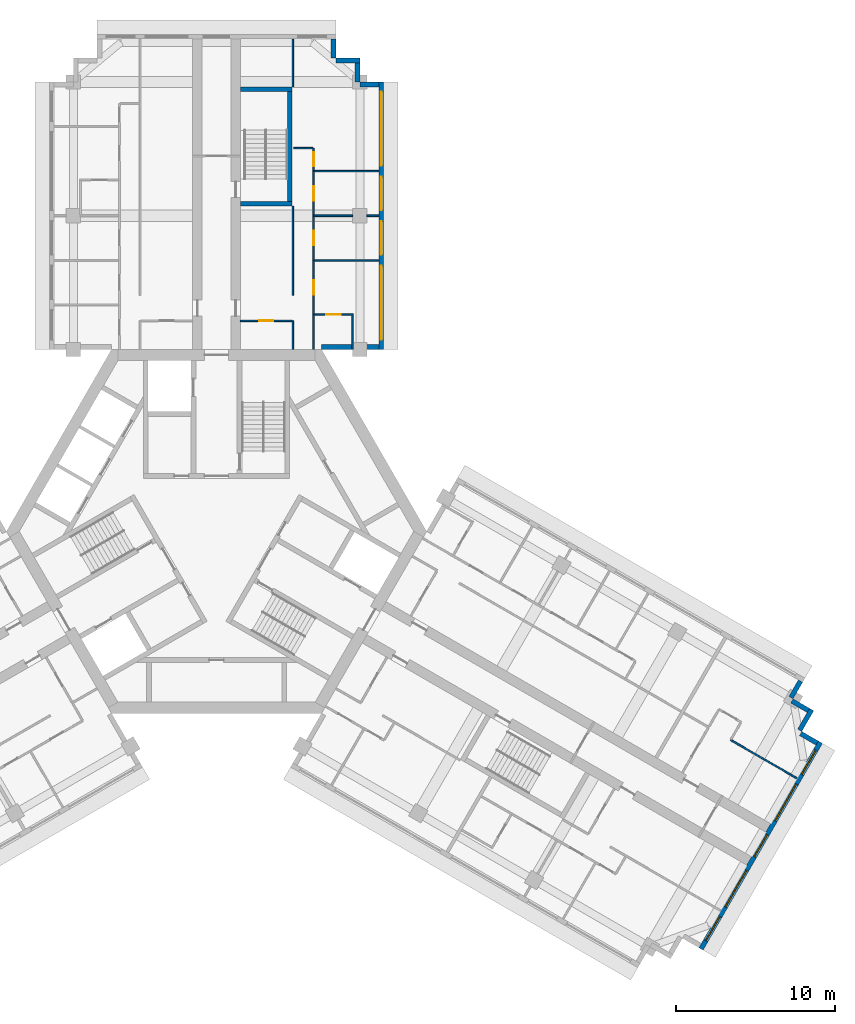
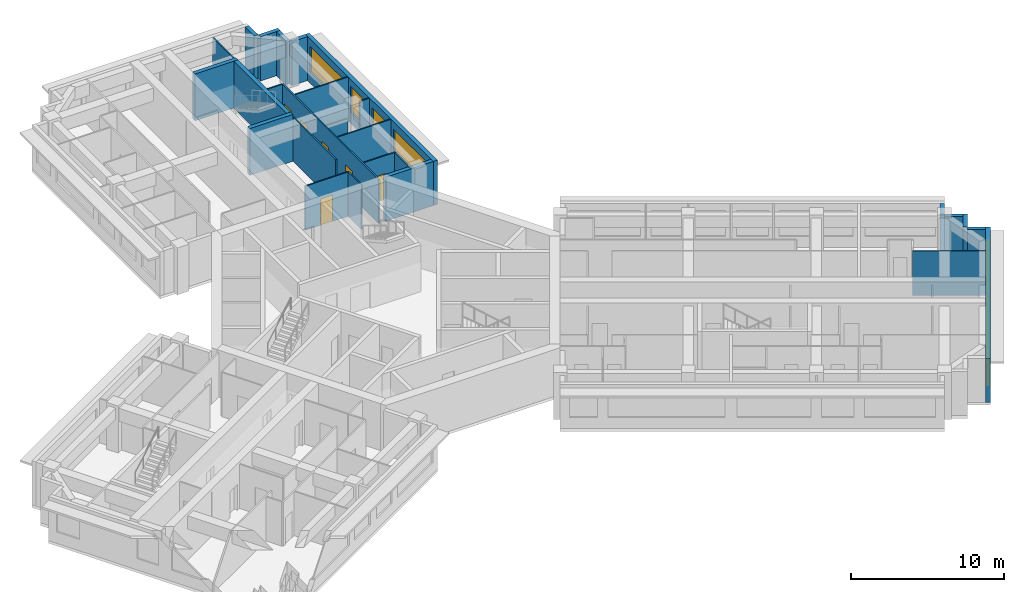
# One storey, part 8 of 10: 27 walls, 9 windows, 6 doors, 15 openings.
"""IFC4 building model written with IfcOpenShell, lengths in metres."""

from ifc_helpers import new_model, si_unit, direction, frame, frame_2d, origin, place, context, subcontext, project, spatial, rectangle, extrude, material, layer, layer_set, type_object, element, fill, save


model = new_model("IFC4")

# Units and contexts
model_context = context("Model", 3, precision=1e-05, world=origin(), true_north=direction((0.0, 1.0)))
body_context = subcontext(model_context, "Body", "Model", "MODEL_VIEW")
ifc_project = project(units=[si_unit("LENGTHUNIT", "METRE"), si_unit("AREAUNIT", "SQUARE_METRE"), si_unit("VOLUMEUNIT", "CUBIC_METRE"), si_unit("PLANEANGLEUNIT", "RADIAN"), si_unit("MASSUNIT", "GRAM", prefix="KILO")], contexts=[model_context])

# Site, building, storey
site_placement = place(None, origin())
site = spatial("IfcSite", under=ifc_project, at=site_placement, CompositionType="ELEMENT")
building_placement = place(site_placement, origin())
building = spatial("IfcBuilding", under=site, at=building_placement, Name="Impinga Residences", CompositionType="ELEMENT")
storey_placement = place(building_placement, frame((0.0, 0.0, 233.5)))
storey = spatial("IfcBuildingStorey", under=building, at=storey_placement, Name="L58", CompositionType="ELEMENT", Elevation=233.5)

# Walls
ifc_material_1 = material(Name="Terracotta rainscreen on blockwork", Category="masonry")
ifc_layer_1 = layer(ifc_material_1, 0.300048828125)
ifc_layer_set_1 = layer_set([ifc_layer_1], Name="EW1 external wall, terracotta rainscreen on blockwork 300")
wall_type_1 = type_object("IfcWallType", Name="EW1 external wall, terracotta rainscreen on blockwork 300", PredefinedType="SOLIDWALL", material=ifc_layer_set_1)
wall_1_placement = place(storey_placement, frame((36.69384765625, -9.4072265625, 0.0), z_axis=(0.0, 0.0, 1.0), x_axis=(-0.499880961361, -0.866094119867, 0.0)))
element("IfcWall", 1, at=wall_1_placement, inside=storey, type_object=wall_type_1, Name="External wall EW1 L58", PredefinedType="SOLIDWALL", context=body_context, shape_type="SweptSolid", body=[
    extrude(rectangle(XDim=1.199951171875, YDim=0.300048828125, at=frame_2d((0.60009765625, 0.0))), origin(), (0.0, 0.0, 1.0), 3.530029296875),
])
wall_2_placement = place(storey_placement, frame((36.153076171875, -10.654052734375, 0.0), z_axis=(0.0, 0.0, 1.0), x_axis=(0.866059708757, -0.499940577336, 0.0)))
element("IfcWall", 2, at=wall_2_placement, inside=storey, type_object=wall_type_1, Name="External wall EW1 L58", PredefinedType="SOLIDWALL", context=body_context, shape_type="SweptSolid", body=[
    extrude(rectangle(XDim=1.195068359375, YDim=0.300048828125, at=frame_2d((0.59765625, 0.0))), origin(), (0.0, 0.0, 1.0), 3.530029296875),
])
wall_3_placement = place(storey_placement, frame((37.39306640625, -11.196533203125, 0.0), z_axis=(0.0, 0.0, 1.0), x_axis=(-0.499990139034, -0.866031096941, 0.0)))
element("IfcWall", 3, at=wall_3_placement, inside=storey, type_object=wall_type_1, Name="External wall EW1 L58", PredefinedType="SOLIDWALL", context=body_context, shape_type="SweptSolid", body=[
    extrude(rectangle(XDim=1.5, YDim=0.300048828125, at=frame_2d((0.75, 0.0))), origin(), (0.0, 0.0, 1.0), 3.530029296875),
])
wall_4_placement = place(storey_placement, frame((36.7021484375, -12.702880859375, 0.0), z_axis=(0.0, 0.0, 1.0), x_axis=(0.865971243484, -0.500093796661, 0.0)))
element("IfcWall", 4, at=wall_4_placement, inside=storey, type_object=wall_type_1, Name="External wall EW1 L58", PredefinedType="SOLIDWALL", context=body_context, shape_type="SweptSolid", body=[
    extrude(rectangle(XDim=1.195068359375, YDim=0.300048828125, at=frame_2d((0.59765625, 0.0))), origin(), (0.0, 0.0, 1.0), 3.530029296875),
])

# Wall, openings, windows
wall_5_placement = place(storey_placement, frame((37.94189453125, -13.24560546875, 0.0), z_axis=(0.0, 0.0, 1.0), x_axis=(-0.500004234368, -0.866022959057, 0.0)))
wall_5 = element("IfcWall", 5, at=wall_5_placement, inside=storey, type_object=wall_type_1, Name="External wall EW1 L58", PredefinedType="SOLIDWALL", context=body_context, shape_type="SweptSolid", body=[
    extrude(rectangle(XDim=14.999755859375, YDim=0.300048828125, at=frame_2d((7.5, 0.0))), origin(), (0.0, 0.0, 1.0), 3.530029296875),
])
opening_1_placement = place(wall_5_placement, frame((0.60009765625, 0.0, 0.89990234375)))
opening_1 = element("IfcOpeningElement", 6, at=opening_1_placement, cuts=wall_5, Name="Opening W1", PredefinedType="OPENING", context=body_context, shape_type="SweptSolid", body=[
    extrude(rectangle(XDim=1.75, YDim=2.050048828125, at=frame_2d((0.875, 1.02490234375))), frame((0.0, 0.159912109375, 0.0), z_axis=(0.0, -1.0, 0.0), x_axis=(1.0, 0.0, 0.0)), (0.0, 0.0, 1.0), 0.320068359375),
])
opening_2_placement = place(wall_5_placement, frame((3.050048828125, 0.0, 0.89990234375)))
opening_2 = element("IfcOpeningElement", 7, at=opening_2_placement, cuts=wall_5, Name="Opening W18", PredefinedType="OPENING", context=body_context, shape_type="SweptSolid", body=[
    extrude(rectangle(XDim=2.64990234375, YDim=2.050048828125, at=frame_2d((1.324951171875, 1.02490234375))), frame((0.0, 0.159912109375, 0.0), z_axis=(0.0, -1.0, 0.0), x_axis=(1.0, 0.0, 0.0)), (0.0, 0.0, 1.0), 0.320068359375),
])
opening_3_placement = place(wall_5_placement, frame((6.699951171875, 0.0, 0.89990234375)))
opening_3 = element("IfcOpeningElement", 8, at=opening_3_placement, cuts=wall_5, Name="Opening W19", PredefinedType="OPENING", context=body_context, shape_type="SweptSolid", body=[
    extrude(rectangle(XDim=1.60009765625, YDim=2.050048828125, at=frame_2d((0.800048828125, 1.02490234375))), frame((0.0, 0.159912109375, 0.0), z_axis=(0.0, -1.0, 0.0), x_axis=(1.0, 0.0, 0.0)), (0.0, 0.0, 1.0), 0.320068359375),
])
opening_4_placement = place(wall_5_placement, frame((9.300048828125, 0.0, 0.89990234375)))
opening_4 = element("IfcOpeningElement", 9, at=opening_4_placement, cuts=wall_5, Name="Opening W18", PredefinedType="OPENING", context=body_context, shape_type="SweptSolid", body=[
    extrude(rectangle(XDim=2.64990234375, YDim=2.050048828125, at=frame_2d((1.324951171875, 1.02490234375))), frame((0.0, 0.159912109375, 0.0), z_axis=(0.0, -1.0, 0.0), x_axis=(1.0, 0.0, 0.0)), (0.0, 0.0, 1.0), 0.320068359375),
])
opening_5_placement = place(wall_5_placement, frame((12.64990234375, 0.0, 0.89990234375)))
opening_5 = element("IfcOpeningElement", 10, at=opening_5_placement, cuts=wall_5, Name="Opening W1", PredefinedType="OPENING", context=body_context, shape_type="SweptSolid", body=[
    extrude(rectangle(XDim=1.75, YDim=2.050048828125, at=frame_2d((0.875, 1.02490234375))), frame((0.0, 0.159912109375, 0.0), z_axis=(0.0, -1.0, 0.0), x_axis=(1.0, 0.0, 0.0)), (0.0, 0.0, 1.0), 0.320068359375),
])
ifc_material_2 = material(Name="Aluminium window, clear double glazing", Category="aluminium")
window_type_1 = type_object("IfcWindowType", Name="W1 ribbon window 1750x2050", PartitioningType="SINGLE_PANEL", PredefinedType="WINDOW", material=ifc_material_2)
window_1_placement = place(opening_1_placement, origin())
window_1 = element("IfcWindow", 11, at=window_1_placement, inside=storey, type_object=window_type_1, Name="Window L58", OverallHeight=2.050048828125, OverallWidth=1.75, PartitioningType="SINGLE_PANEL", PredefinedType="WINDOW", context=body_context, shape_type="SweptSolid", body=[
    extrude(rectangle(XDim=1.75, YDim=2.050048828125, at=frame_2d((0.875, 1.02490234375))), frame((0.0, 0.030029296875, 0.0), z_axis=(0.0, -1.0, 0.0), x_axis=(1.0, 0.0, 0.0)), (0.0, 0.0, 1.0), 0.06005859375),
])
fill(opening_1, window_1)
window_2_placement = place(opening_5_placement, origin())
window_2 = element("IfcWindow", 12, at=window_2_placement, inside=storey, type_object=window_type_1, Name="Window L58", OverallHeight=2.050048828125, OverallWidth=1.75, PartitioningType="SINGLE_PANEL", PredefinedType="WINDOW", context=body_context, shape_type="SweptSolid", body=[
    extrude(rectangle(XDim=1.75, YDim=2.050048828125, at=frame_2d((0.875, 1.02490234375))), frame((0.0, 0.030029296875, 0.0), z_axis=(0.0, -1.0, 0.0), x_axis=(1.0, 0.0, 0.0)), (0.0, 0.0, 1.0), 0.06005859375),
])
fill(opening_5, window_2)
window_type_2 = type_object("IfcWindowType", Name="W18 ribbon window 2650x2050", PartitioningType="SINGLE_PANEL", PredefinedType="WINDOW", material=ifc_material_2)
window_3_placement = place(opening_2_placement, origin())
window_3 = element("IfcWindow", 13, at=window_3_placement, inside=storey, type_object=window_type_2, Name="Window L58", OverallHeight=2.050048828125, OverallWidth=2.64990234375, PartitioningType="SINGLE_PANEL", PredefinedType="WINDOW", context=body_context, shape_type="SweptSolid", body=[
    extrude(rectangle(XDim=2.64990234375, YDim=2.050048828125, at=frame_2d((1.324951171875, 1.02490234375))), frame((0.0, 0.030029296875, 0.0), z_axis=(0.0, -1.0, 0.0), x_axis=(1.0, 0.0, 0.0)), (0.0, 0.0, 1.0), 0.06005859375),
])
fill(opening_2, window_3)
window_4_placement = place(opening_4_placement, origin())
window_4 = element("IfcWindow", 14, at=window_4_placement, inside=storey, type_object=window_type_2, Name="Window L58", OverallHeight=2.050048828125, OverallWidth=2.64990234375, PartitioningType="SINGLE_PANEL", PredefinedType="WINDOW", context=body_context, shape_type="SweptSolid", body=[
    extrude(rectangle(XDim=2.64990234375, YDim=2.050048828125, at=frame_2d((1.324951171875, 1.02490234375))), frame((0.0, 0.030029296875, 0.0), z_axis=(0.0, -1.0, 0.0), x_axis=(1.0, 0.0, 0.0)), (0.0, 0.0, 1.0), 0.06005859375),
])
fill(opening_4, window_4)
window_type_3 = type_object("IfcWindowType", Name="W19 ribbon window 1600x2050", PartitioningType="SINGLE_PANEL", PredefinedType="WINDOW", material=ifc_material_2)
window_5_placement = place(opening_3_placement, origin())
window_5 = element("IfcWindow", 15, at=window_5_placement, inside=storey, type_object=window_type_3, Name="Window L58", OverallHeight=2.050048828125, OverallWidth=1.60009765625, PartitioningType="SINGLE_PANEL", PredefinedType="WINDOW", context=body_context, shape_type="SweptSolid", body=[
    extrude(rectangle(XDim=1.60009765625, YDim=2.050048828125, at=frame_2d((0.800048828125, 1.02490234375))), frame((0.0, 0.030029296875, 0.0), z_axis=(0.0, -1.0, 0.0), x_axis=(1.0, 0.0, 0.0)), (0.0, 0.0, 1.0), 0.06005859375),
])
fill(opening_3, window_5)

# Walls
wall_6_placement = place(storey_placement, frame((7.35009765625, 30.931640625, 0.0), z_axis=(0.0, 0.0, 1.0), x_axis=(0.0, -1.0, 0.0)))
element("IfcWall", 16, at=wall_6_placement, inside=storey, type_object=wall_type_1, Name="External wall EW1 L58", PredefinedType="SOLIDWALL", context=body_context, shape_type="SweptSolid", body=[
    extrude(rectangle(XDim=1.195068359375, YDim=0.300048828125, at=frame_2d((0.59765625, 0.0))), origin(), (0.0, 0.0, 1.0), 3.530029296875),
])
wall_7_placement = place(storey_placement, frame((7.5, 29.58154296875, 0.0), z_axis=(0.0, 0.0, 1.0), x_axis=(1.0, 0.0, 0.0)))
element("IfcWall", 17, at=wall_7_placement, inside=storey, type_object=wall_type_1, Name="External wall EW1 L58", PredefinedType="SOLIDWALL", context=body_context, shape_type="SweptSolid", body=[
    extrude(rectangle(XDim=1.5, YDim=0.300048828125, at=frame_2d((0.75, 0.0))), origin(), (0.0, 0.0, 1.0), 3.530029296875),
])
wall_8_placement = place(storey_placement, frame((8.85009765625, 29.431640625, 0.0), z_axis=(0.0, 0.0, 1.0), x_axis=(0.0, -1.0, 0.0)))
element("IfcWall", 18, at=wall_8_placement, inside=storey, type_object=wall_type_1, Name="External wall EW1 L58", PredefinedType="SOLIDWALL", context=body_context, shape_type="SweptSolid", body=[
    extrude(rectangle(XDim=1.2001953125, YDim=0.300048828125, at=frame_2d((0.60009765625, 0.0))), origin(), (0.0, 0.0, 1.0), 3.530029296875),
])
wall_9_placement = place(storey_placement, frame((9.0048828125, 28.08154296875, 0.0), z_axis=(0.0, 0.0, 1.0), x_axis=(1.0, 0.0, 0.0)))
element("IfcWall", 19, at=wall_9_placement, inside=storey, type_object=wall_type_1, Name="External wall EW1 L58", PredefinedType="SOLIDWALL", context=body_context, shape_type="SweptSolid", body=[
    extrude(rectangle(XDim=1.195068359375, YDim=0.300048828125, at=frame_2d((0.59765625, 0.0))), origin(), (0.0, 0.0, 1.0), 3.530029296875),
])

# Wall, openings, windows
wall_10_placement = place(storey_placement, frame((10.35009765625, 28.2314453125, 0.0), z_axis=(0.0, 0.0, 1.0), x_axis=(0.0, -1.0, 0.0)))
wall_10 = element("IfcWall", 20, at=wall_10_placement, inside=storey, type_object=wall_type_1, Name="External wall EW1 L58", PredefinedType="SOLIDWALL", context=body_context, shape_type="SweptSolid", body=[
    extrude(rectangle(XDim=16.7998046875, YDim=0.300048828125, at=frame_2d((8.39990234375, 0.0))), origin(), (0.0, 0.0, 1.0), 3.530029296875),
])
opening_6_placement = place(wall_10_placement, frame((0.60009765625, 0.0, 0.89990234375)))
opening_6 = element("IfcOpeningElement", 21, at=opening_6_placement, cuts=wall_10, Name="Opening W10", PredefinedType="OPENING", context=body_context, shape_type="SweptSolid", body=[
    extrude(rectangle(XDim=4.64990234375, YDim=2.050048828125, at=frame_2d((2.324951171875, 1.02490234375))), frame((0.0, 0.159912109375, 0.0), z_axis=(0.0, -1.0, 0.0), x_axis=(1.0, 0.0, 0.0)), (0.0, 0.0, 1.0), 0.320068359375),
])
opening_7_placement = place(wall_10_placement, frame((5.949951171875, 0.0, 0.89990234375)))
opening_7 = element("IfcOpeningElement", 22, at=opening_7_placement, cuts=wall_10, Name="Opening W9", PredefinedType="OPENING", context=body_context, shape_type="SweptSolid", body=[
    extrude(rectangle(XDim=2.10009765625, YDim=2.050048828125, at=frame_2d((1.050048828125, 1.02490234375))), frame((0.0, 0.159912109375, 0.0), z_axis=(0.0, -1.0, 0.0), x_axis=(1.0, 0.0, 0.0)), (0.0, 0.0, 1.0), 0.320068359375),
])
opening_8_placement = place(wall_10_placement, frame((8.75, 0.0, 0.89990234375)))
opening_8 = element("IfcOpeningElement", 23, at=opening_8_placement, cuts=wall_10, Name="Opening W9", PredefinedType="OPENING", context=body_context, shape_type="SweptSolid", body=[
    extrude(rectangle(XDim=2.10009765625, YDim=2.050048828125, at=frame_2d((1.050048828125, 1.02490234375))), frame((0.0, 0.159912109375, 0.0), z_axis=(0.0, -1.0, 0.0), x_axis=(1.0, 0.0, 0.0)), (0.0, 0.0, 1.0), 0.320068359375),
])
opening_9_placement = place(wall_10_placement, frame((11.550048828125, 0.0, 0.89990234375)))
opening_9 = element("IfcOpeningElement", 24, at=opening_9_placement, cuts=wall_10, Name="Opening W10", PredefinedType="OPENING", context=body_context, shape_type="SweptSolid", body=[
    extrude(rectangle(XDim=4.64990234375, YDim=2.050048828125, at=frame_2d((2.324951171875, 1.02490234375))), frame((0.0, 0.159912109375, 0.0), z_axis=(0.0, -1.0, 0.0), x_axis=(1.0, 0.0, 0.0)), (0.0, 0.0, 1.0), 0.320068359375),
])
window_type_4 = type_object("IfcWindowType", Name="W10 ribbon window 4650x2050", PartitioningType="SINGLE_PANEL", PredefinedType="WINDOW", material=ifc_material_2)
window_6_placement = place(opening_6_placement, origin())
window_6 = element("IfcWindow", 25, at=window_6_placement, inside=storey, type_object=window_type_4, Name="Window L58", OverallHeight=2.050048828125, OverallWidth=4.64990234375, PartitioningType="SINGLE_PANEL", PredefinedType="WINDOW", context=body_context, shape_type="SweptSolid", body=[
    extrude(rectangle(XDim=4.64990234375, YDim=2.050048828125, at=frame_2d((2.324951171875, 1.02490234375))), frame((0.0, 0.030029296875, 0.0), z_axis=(0.0, -1.0, 0.0), x_axis=(1.0, 0.0, 0.0)), (0.0, 0.0, 1.0), 0.06005859375),
])
fill(opening_6, window_6)
window_7_placement = place(opening_9_placement, origin())
window_7 = element("IfcWindow", 26, at=window_7_placement, inside=storey, type_object=window_type_4, Name="Window L58", OverallHeight=2.050048828125, OverallWidth=4.64990234375, PartitioningType="SINGLE_PANEL", PredefinedType="WINDOW", context=body_context, shape_type="SweptSolid", body=[
    extrude(rectangle(XDim=4.64990234375, YDim=2.050048828125, at=frame_2d((2.324951171875, 1.02490234375))), frame((0.0, 0.030029296875, 0.0), z_axis=(0.0, -1.0, 0.0), x_axis=(1.0, 0.0, 0.0)), (0.0, 0.0, 1.0), 0.06005859375),
])
fill(opening_9, window_7)
window_type_5 = type_object("IfcWindowType", Name="W9 ribbon window 2100x2050", PartitioningType="SINGLE_PANEL", PredefinedType="WINDOW", material=ifc_material_2)
window_8_placement = place(opening_7_placement, origin())
window_8 = element("IfcWindow", 27, at=window_8_placement, inside=storey, type_object=window_type_5, Name="Window L58", OverallHeight=2.050048828125, OverallWidth=2.10009765625, PartitioningType="SINGLE_PANEL", PredefinedType="WINDOW", context=body_context, shape_type="SweptSolid", body=[
    extrude(rectangle(XDim=2.10009765625, YDim=2.050048828125, at=frame_2d((1.050048828125, 1.02490234375))), frame((0.0, 0.030029296875, 0.0), z_axis=(0.0, -1.0, 0.0), x_axis=(1.0, 0.0, 0.0)), (0.0, 0.0, 1.0), 0.06005859375),
])
fill(opening_7, window_8)
window_9_placement = place(opening_8_placement, origin())
window_9 = element("IfcWindow", 28, at=window_9_placement, inside=storey, type_object=window_type_5, Name="Window L58", OverallHeight=2.050048828125, OverallWidth=2.10009765625, PartitioningType="SINGLE_PANEL", PredefinedType="WINDOW", context=body_context, shape_type="SweptSolid", body=[
    extrude(rectangle(XDim=2.10009765625, YDim=2.050048828125, at=frame_2d((1.050048828125, 1.02490234375))), frame((0.0, 0.030029296875, 0.0), z_axis=(0.0, -1.0, 0.0), x_axis=(1.0, 0.0, 0.0)), (0.0, 0.0, 1.0), 0.06005859375),
])
fill(opening_8, window_9)

# Walls
wall_11_placement = place(storey_placement, frame((10.199951171875, 11.58154296875, 0.0), z_axis=(0.0, 0.0, 1.0), x_axis=(-1.0, 0.0, 0.0)))
element("IfcWall", 29, at=wall_11_placement, inside=storey, type_object=wall_type_1, Name="External wall EW1 L58", PredefinedType="SOLIDWALL", context=body_context, shape_type="SweptSolid", body=[
    extrude(rectangle(XDim=3.599853515625, YDim=0.300048828125, at=frame_2d((1.7998046875, 0.0))), origin(), (0.0, 0.0, 1.0), 3.530029296875),
])
ifc_material_3 = material(Name="Gypsum board on steel studs", Category="steel")
ifc_layer_2 = layer(ifc_material_3, 0.10009765625)
ifc_layer_set_2 = layer_set([ifc_layer_2], Name="Gypsum board on steel studs")
wall_type_2 = type_object("IfcWallType", Name="IP1 partition 100", PredefinedType="PARTITIONING", material=ifc_layer_set_2)
wall_12_placement = place(storey_placement, frame((4.800048828125, 11.431640625, 0.0), z_axis=(0.0, 0.0, 1.0), x_axis=(0.0, 1.0, 0.0)))
element("IfcWall", 30, at=wall_12_placement, inside=storey, type_object=wall_type_2, Name="Partition L58-NF1:DIV0", PredefinedType="PARTITIONING", context=body_context, shape_type="SweptSolid", body=[
    extrude(rectangle(XDim=1.7998046875, YDim=0.10009765625, at=frame_2d((0.89990234375, 0.0))), origin(), (0.0, 0.0, 1.0), 3.530029296875),
])
wall_13_placement = place(storey_placement, frame((4.800048828125, 14.83154296875, 0.0), z_axis=(0.0, 0.0, 1.0), x_axis=(0.0, 1.0, 0.0)))
element("IfcWall", 31, at=wall_13_placement, inside=storey, type_object=wall_type_2, Name="Partition L58-NF1:DIV1", PredefinedType="PARTITIONING", context=body_context, shape_type="SweptSolid", body=[
    extrude(rectangle(XDim=5.60009765625, YDim=0.10009765625, at=frame_2d((2.800048828125, 0.0))), origin(), (0.0, 0.0, 1.0), 3.530029296875),
])
wall_14_placement = place(storey_placement, frame((4.800048828125, 27.931640625, 0.0), z_axis=(0.0, 0.0, 1.0), x_axis=(0.0, 1.0, 0.0)))
element("IfcWall", 32, at=wall_14_placement, inside=storey, type_object=wall_type_2, Name="Partition L58-NF1:DIV2", PredefinedType="PARTITIONING", context=body_context, shape_type="SweptSolid", body=[
    extrude(rectangle(XDim=3.0, YDim=0.10009765625, at=frame_2d((1.5, 0.0))), origin(), (0.0, 0.0, 1.0), 3.530029296875),
])

# Wall, openings, doors
wall_15_placement = place(storey_placement, frame((6.10009765625, 11.431640625, 0.0), z_axis=(0.0, 0.0, 1.0), x_axis=(0.0, 1.0, 0.0)))
wall_15 = element("IfcWall", 33, at=wall_15_placement, inside=storey, type_object=wall_type_2, Name="Partition L58-NF1:STRIP", PredefinedType="PARTITIONING", context=body_context, shape_type="SweptSolid", body=[
    extrude(rectangle(XDim=12.64990234375, YDim=0.10009765625, at=frame_2d((6.324951171875, 0.0))), origin(), (0.0, 0.0, 1.0), 3.530029296875),
])
opening_10_placement = place(wall_15_placement, frame((3.449951171875, 0.0, 0.0)))
opening_10 = element("IfcOpeningElement", 34, at=opening_10_placement, cuts=wall_15, Name="Opening D2", PredefinedType="OPENING", context=body_context, shape_type="SweptSolid", body=[
    extrude(rectangle(XDim=0.89990234375, YDim=2.10009765625, at=frame_2d((0.449951171875, 1.050048828125))), frame((0.0, 0.06005859375, 0.0), z_axis=(0.0, -1.0, 0.0), x_axis=(1.0, 0.0, 0.0)), (0.0, 0.0, 1.0), 0.1201171875),
])
opening_11_placement = place(wall_15_placement, frame((6.550048828125, 0.0, 0.0)))
opening_11 = element("IfcOpeningElement", 35, at=opening_11_placement, cuts=wall_15, Name="Opening D2", PredefinedType="OPENING", context=body_context, shape_type="SweptSolid", body=[
    extrude(rectangle(XDim=0.89990234375, YDim=2.10009765625, at=frame_2d((0.449951171875, 1.050048828125))), frame((0.0, 0.06005859375, 0.0), z_axis=(0.0, -1.0, 0.0), x_axis=(1.0, 0.0, 0.0)), (0.0, 0.0, 1.0), 0.1201171875),
])
opening_12_placement = place(wall_15_placement, frame((9.35009765625, 0.0, 0.0)))
opening_12 = element("IfcOpeningElement", 36, at=opening_12_placement, cuts=wall_15, Name="Opening D2", PredefinedType="OPENING", context=body_context, shape_type="SweptSolid", body=[
    extrude(rectangle(XDim=0.89990234375, YDim=2.10009765625, at=frame_2d((0.449951171875, 1.050048828125))), frame((0.0, 0.06005859375, 0.0), z_axis=(0.0, -1.0, 0.0), x_axis=(1.0, 0.0, 0.0)), (0.0, 0.0, 1.0), 0.1201171875),
])
opening_13_placement = place(wall_15_placement, frame((11.5, 0.0, 0.0)))
opening_13 = element("IfcOpeningElement", 37, at=opening_13_placement, cuts=wall_15, Name="Opening D2", PredefinedType="OPENING", context=body_context, shape_type="SweptSolid", body=[
    extrude(rectangle(XDim=0.89990234375, YDim=2.10009765625, at=frame_2d((0.449951171875, 1.050048828125))), frame((0.0, 0.06005859375, 0.0), z_axis=(0.0, -1.0, 0.0), x_axis=(1.0, 0.0, 0.0)), (0.0, 0.0, 1.0), 0.1201171875),
])
ifc_material_4 = material(Name="Timber door set", Category="wood")
door_type = type_object("IfcDoorType", Name="D2 internal door 900x2100", OperationType="SINGLE_SWING_LEFT", PredefinedType="DOOR", material=ifc_material_4)
door_1_placement = place(opening_10_placement, origin())
door_1 = element("IfcDoor", 38, at=door_1_placement, inside=storey, type_object=door_type, Name="Apartment L58-NF1 room door", OperationType="SINGLE_SWING_LEFT", OverallHeight=2.10009765625, OverallWidth=0.89990234375, PredefinedType="DOOR", context=body_context, shape_type="SweptSolid", body=[
    extrude(rectangle(XDim=0.89990234375, YDim=2.10009765625, at=frame_2d((0.449951171875, 1.050048828125))), frame((0.0, 0.02490234375, 0.0), z_axis=(0.0, -1.0, 0.0), x_axis=(1.0, 0.0, 0.0)), (0.0, 0.0, 1.0), 0.050048828125),
])
fill(opening_10, door_1)
door_2_placement = place(opening_11_placement, origin())
door_2 = element("IfcDoor", 39, at=door_2_placement, inside=storey, type_object=door_type, Name="Apartment L58-NF1 room door", OperationType="SINGLE_SWING_RIGHT", OverallHeight=2.10009765625, OverallWidth=0.89990234375, PredefinedType="DOOR", context=body_context, shape_type="SweptSolid", body=[
    extrude(rectangle(XDim=0.89990234375, YDim=2.10009765625, at=frame_2d((0.449951171875, 1.050048828125))), frame((0.0, 0.02490234375, 0.0), z_axis=(0.0, -1.0, 0.0), x_axis=(1.0, 0.0, 0.0)), (0.0, 0.0, 1.0), 0.050048828125),
])
fill(opening_11, door_2)
door_3_placement = place(opening_12_placement, origin())
door_3 = element("IfcDoor", 40, at=door_3_placement, inside=storey, type_object=door_type, Name="Apartment L58-NF1 room door", OperationType="SINGLE_SWING_RIGHT", OverallHeight=2.10009765625, OverallWidth=0.89990234375, PredefinedType="DOOR", context=body_context, shape_type="SweptSolid", body=[
    extrude(rectangle(XDim=0.89990234375, YDim=2.10009765625, at=frame_2d((0.449951171875, 1.050048828125))), frame((0.0, 0.02490234375, 0.0), z_axis=(0.0, -1.0, 0.0), x_axis=(1.0, 0.0, 0.0)), (0.0, 0.0, 1.0), 0.050048828125),
])
fill(opening_12, door_3)
door_4_placement = place(opening_13_placement, origin())
door_4 = element("IfcDoor", 41, at=door_4_placement, inside=storey, type_object=door_type, Name="Apartment L58-NF1 room door", OperationType="SINGLE_SWING_RIGHT", OverallHeight=2.10009765625, OverallWidth=0.89990234375, PredefinedType="DOOR", context=body_context, shape_type="SweptSolid", body=[
    extrude(rectangle(XDim=0.89990234375, YDim=2.10009765625, at=frame_2d((0.449951171875, 1.050048828125))), frame((0.0, 0.02490234375, 0.0), z_axis=(0.0, -1.0, 0.0), x_axis=(1.0, 0.0, 0.0)), (0.0, 0.0, 1.0), 0.050048828125),
])
fill(opening_13, door_4)

# Wall
wall_16_placement = place(storey_placement, frame((4.85009765625, 24.08154296875, 0.0), z_axis=(0.0, 0.0, 1.0), x_axis=(1.0, 0.0, 0.0)))
element("IfcWall", 42, at=wall_16_placement, inside=storey, type_object=wall_type_2, Name="Partition L58-NF1:SE1", PredefinedType="PARTITIONING", context=body_context, shape_type="SweptSolid", body=[
    extrude(rectangle(XDim=1.199951171875, YDim=0.10009765625, at=frame_2d((0.60009765625, 0.0))), origin(), (0.0, 0.0, 1.0), 3.530029296875),
])

# Wall, opening, door
wall_17_placement = place(storey_placement, frame((1.5, 13.2314453125, 0.0), z_axis=(0.0, 0.0, 1.0), x_axis=(1.0, 0.0, 0.0)))
wall_17 = element("IfcWall", 43, at=wall_17_placement, inside=storey, type_object=wall_type_2, Name="Partition L58-NF1:IB1", PredefinedType="PARTITIONING", context=body_context, shape_type="SweptSolid", body=[
    extrude(rectangle(XDim=3.25, YDim=0.10009765625, at=frame_2d((1.625, 0.0))), origin(), (0.0, 0.0, 1.0), 3.530029296875),
])
opening_14_placement = place(wall_17_placement, frame((1.175048828125, 0.0, 0.0)))
opening_14 = element("IfcOpeningElement", 44, at=opening_14_placement, cuts=wall_17, Name="Opening D2", PredefinedType="OPENING", context=body_context, shape_type="SweptSolid", body=[
    extrude(rectangle(XDim=0.89990234375, YDim=2.10009765625, at=frame_2d((0.449951171875, 1.050048828125))), frame((0.0, 0.06005859375, 0.0), z_axis=(0.0, -1.0, 0.0), x_axis=(1.0, 0.0, 0.0)), (0.0, 0.0, 1.0), 0.1201171875),
])
door_5_placement = place(opening_14_placement, origin())
door_5 = element("IfcDoor", 45, at=door_5_placement, inside=storey, type_object=door_type, Name="Apartment L58-NF1 bathroom door", OperationType="SINGLE_SWING_LEFT", OverallHeight=2.10009765625, OverallWidth=0.89990234375, PredefinedType="DOOR", context=body_context, shape_type="SweptSolid", body=[
    extrude(rectangle(XDim=0.89990234375, YDim=2.10009765625, at=frame_2d((0.449951171875, 1.050048828125))), frame((0.0, 0.02490234375, 0.0), z_axis=(0.0, -1.0, 0.0), x_axis=(1.0, 0.0, 0.0)), (0.0, 0.0, 1.0), 0.050048828125),
])
fill(opening_14, door_5)

# Walls
wall_18_placement = place(storey_placement, frame((6.14990234375, 17.031494140625, 0.0), z_axis=(0.0, 0.0, 1.0), x_axis=(1.0, 0.0, 0.0)))
element("IfcWall", 46, at=wall_18_placement, inside=storey, type_object=wall_type_2, Name="Partition L58-NF1:OB1", PredefinedType="PARTITIONING", context=body_context, shape_type="SweptSolid", body=[
    extrude(rectangle(XDim=4.050048828125, YDim=0.10009765625, at=frame_2d((2.02490234375, 0.0))), origin(), (0.0, 0.0, 1.0), 3.530029296875),
])
wall_19_placement = place(storey_placement, frame((6.14990234375, 19.83154296875, 0.0), z_axis=(0.0, 0.0, 1.0), x_axis=(1.0, 0.0, 0.0)))
element("IfcWall", 47, at=wall_19_placement, inside=storey, type_object=wall_type_2, Name="Partition L58-NF1:OB2", PredefinedType="PARTITIONING", context=body_context, shape_type="SweptSolid", body=[
    extrude(rectangle(XDim=2.400146484375, YDim=0.10009765625, at=frame_2d((1.2001953125, 0.0))), origin(), (0.0, 0.0, 1.0), 2.47998046875),
])
wall_20_placement = place(storey_placement, frame((9.449951171875, 19.83154296875, 0.0), z_axis=(0.0, 0.0, 1.0), x_axis=(1.0, 0.0, 0.0)))
element("IfcWall", 48, at=wall_20_placement, inside=storey, type_object=wall_type_2, Name="Partition L58-NF1:OB2b", PredefinedType="PARTITIONING", context=body_context, shape_type="SweptSolid", body=[
    extrude(rectangle(XDim=0.75, YDim=0.10009765625, at=frame_2d((0.375, 0.0))), origin(), (0.0, 0.0, 1.0), 3.530029296875),
])
wall_21_placement = place(storey_placement, frame((6.14990234375, 22.631591796875, 0.0), z_axis=(0.0, 0.0, 1.0), x_axis=(1.0, 0.0, 0.0)))
element("IfcWall", 49, at=wall_21_placement, inside=storey, type_object=wall_type_2, Name="Partition L58-NF1:OB3", PredefinedType="PARTITIONING", context=body_context, shape_type="SweptSolid", body=[
    extrude(rectangle(XDim=4.050048828125, YDim=0.10009765625, at=frame_2d((2.02490234375, 0.0))), origin(), (0.0, 0.0, 1.0), 3.530029296875),
])

# Wall, opening, door
wall_22_placement = place(storey_placement, frame((6.14990234375, 13.631591796875, 0.0), z_axis=(0.0, 0.0, 1.0), x_axis=(1.0, 0.0, 0.0)))
wall_22 = element("IfcWall", 50, at=wall_22_placement, inside=storey, type_object=wall_type_2, Name="Partition L58-NF1:EN1", PredefinedType="PARTITIONING", context=body_context, shape_type="SweptSolid", body=[
    extrude(rectangle(XDim=2.4501953125, YDim=0.10009765625, at=frame_2d((1.22509765625, 0.0))), origin(), (0.0, 0.0, 1.0), 3.530029296875),
])
opening_15_placement = place(wall_22_placement, frame((0.75, 0.0, 0.0)))
opening_15 = element("IfcOpeningElement", 51, at=opening_15_placement, cuts=wall_22, Name="Opening D2", PredefinedType="OPENING", context=body_context, shape_type="SweptSolid", body=[
    extrude(rectangle(XDim=0.89990234375, YDim=2.10009765625, at=frame_2d((0.449951171875, 1.050048828125))), frame((0.0, 0.06005859375, 0.0), z_axis=(0.0, -1.0, 0.0), x_axis=(1.0, 0.0, 0.0)), (0.0, 0.0, 1.0), 0.1201171875),
])
door_6_placement = place(opening_15_placement, origin())
door_6 = element("IfcDoor", 52, at=door_6_placement, inside=storey, type_object=door_type, Name="Apartment L58-NF1 en-suite door", OperationType="SINGLE_SWING_LEFT", OverallHeight=2.10009765625, OverallWidth=0.89990234375, PredefinedType="DOOR", context=body_context, shape_type="SweptSolid", body=[
    extrude(rectangle(XDim=0.89990234375, YDim=2.10009765625, at=frame_2d((0.449951171875, 1.050048828125))), frame((0.0, 0.02490234375, 0.0), z_axis=(0.0, -1.0, 0.0), x_axis=(1.0, 0.0, 0.0)), (0.0, 0.0, 1.0), 0.050048828125),
])
fill(opening_15, door_6)

# Walls
wall_23_placement = place(storey_placement, frame((8.550048828125, 11.431640625, 0.0), z_axis=(0.0, 0.0, 1.0), x_axis=(0.0, 1.0, 0.0)))
element("IfcWall", 53, at=wall_23_placement, inside=storey, type_object=wall_type_2, Name="Partition L58-NF1:EN2", PredefinedType="PARTITIONING", context=body_context, shape_type="SweptSolid", body=[
    extrude(rectangle(XDim=2.14990234375, YDim=0.10009765625, at=frame_2d((1.074951171875, 0.0))), origin(), (0.0, 0.0, 1.0), 3.530029296875),
])
wall_24_placement = place(storey_placement, frame((32.30517578125, -13.10888671875, 0.0), z_axis=(0.0, 0.0, 1.0), x_axis=(0.866037363387, -0.499979284789, 0.0)))
element("IfcWall", 54, at=wall_24_placement, inside=storey, type_object=wall_type_2, Name="Partition L58-EA2:DIV1", PredefinedType="PARTITIONING", context=body_context, shape_type="SweptSolid", body=[
    extrude(rectangle(XDim=4.800048828125, YDim=0.10009765625, at=frame_2d((2.39990234375, 0.0))), origin(), (0.0, 0.0, 1.0), 3.530029296875),
])
ifc_material_5 = material(Name="Concrete C60/75", Category="concrete")
ifc_layer_3 = layer(ifc_material_5, 0.300048828125)
ifc_layer_set_3 = layer_set([ifc_layer_3], Name="Concrete C60/75")
wall_type_3 = type_object("IfcWallType", Name="SE1 wing stair enclosure wall 300", PredefinedType="SOLIDWALL", material=ifc_layer_set_3)
for number, where, z_axis, x_axis, name in (
    (55, (1.5, 20.58154296875, 0.0), (0.0, 0.0, 1.0), (1.0, 0.0, 0.0), "Stair enclosure wall SE1 N END0 L58"),
    (56, (1.5, 27.781494140625, 0.0), (0.0, 0.0, 1.0), (1.0, 0.0, 0.0), "Stair enclosure wall SE1 N END1 L58"),
):
    element("IfcWall", number, at=place(storey_placement, frame(where, z_axis=z_axis, x_axis=x_axis)), inside=storey, type_object=wall_type_3, Name=name, PredefinedType="SOLIDWALL", context=body_context, shape_type="SweptSolid", body=[
        extrude(rectangle(XDim=3.25, YDim=0.300048828125, at=frame_2d((1.625, 0.0))), origin(), (0.0, 0.0, 1.0), 3.75),
    ])
wall_25_placement = place(storey_placement, frame((4.60009765625, 20.7314453125, 0.0), z_axis=(0.0, 0.0, 1.0), x_axis=(0.0, 1.0, 0.0)))
element("IfcWall", 57, at=wall_25_placement, inside=storey, type_object=wall_type_3, Name="Stair enclosure wall SE1 N OUT L58", PredefinedType="SOLIDWALL", context=body_context, shape_type="SweptSolid", body=[
    extrude(rectangle(XDim=6.900146484375, YDim=0.300048828125, at=frame_2d((3.4501953125, 0.0))), origin(), (0.0, 0.0, 1.0), 3.75),
])

save(model, "model.ifc")
